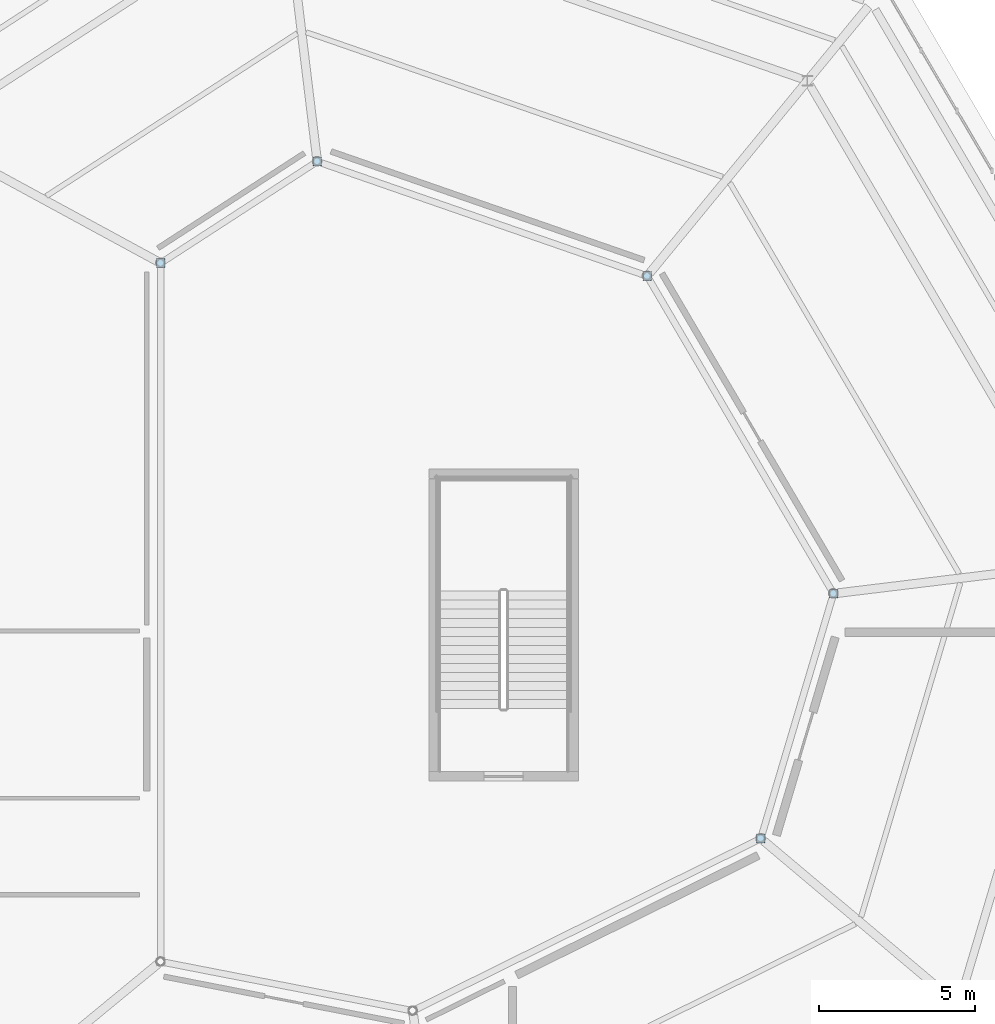
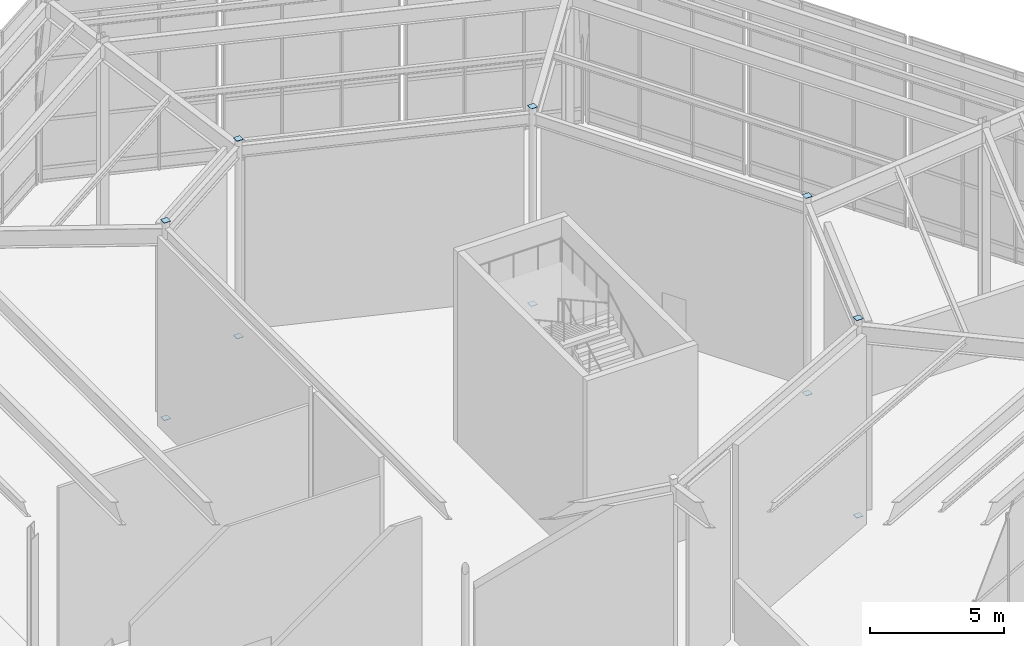
# One storey, part 34 of 48: 10 plates.
"""IFC4 building model written with IfcOpenShell, lengths in metres."""

from ifc_helpers import new_model, si_unit, direction, frame, origin, origin_2d, place, context, subcontext, project, spatial, rectangle, extrude, material, layer, layer_set, type_object, element, save


model = new_model("IFC4")

# Units and contexts
model_context = context("Model", 3, precision=1e-05, world=origin(), true_north=direction((0.0, 1.0)))
body_context = subcontext(model_context, "Body", "Model", "MODEL_VIEW")
ifc_project = project(units=[si_unit("LENGTHUNIT", "METRE"), si_unit("AREAUNIT", "SQUARE_METRE"), si_unit("VOLUMEUNIT", "CUBIC_METRE"), si_unit("PLANEANGLEUNIT", "RADIAN"), si_unit("MASSUNIT", "GRAM", prefix="KILO")], contexts=[model_context])

# Site, building, storey
site_placement = place(None, origin())
site = spatial("IfcSite", under=ifc_project, at=site_placement, CompositionType="ELEMENT")
building_placement = place(site_placement, origin())
building = spatial("IfcBuilding", under=site, at=building_placement, Name="Sarnbrook Museum", CompositionType="ELEMENT")
storey_placement = place(building_placement, frame((0.0, 0.0, 19.10009765625)))
storey = spatial("IfcBuildingStorey", under=building, at=storey_placement, Name="L04", CompositionType="ELEMENT", Elevation=19.10009765625)

# Plates
ifc_material = material(Name="Structural Steel Grade 350L0 (AS/NZS 3678, fy = 340 MPa for 20 < t <= 40 mm)", Category="steel")
ifc_layer = layer(ifc_material, 0.01611328125)
ifc_layer_set = layer_set([ifc_layer], Name="Structural Steel Grade 350L0 (AS/NZS 3678, fy = 340 MPa for 20 < t <= 40 mm)")
plate_type = type_object("IfcPlateType", Name="EndCapPlate_CAP273", PredefinedType="USERDEFINED", material=ifc_layer_set)
for number, where, z_axis, x_axis, name in (
    (1, (152.05029296875, 78.356201171875, -0.01611328125), (0.0, 0.0, 1.0), (1.0, 0.0, 0.0), "Hollow End Cap Plate COL:L04:V1R2-2-1"),
    (2, (152.05029296875, 78.356201171875, 8.999755859375), (0.0, 0.0, 1.0), (1.0, 0.0, 0.0), "Hollow End Cap Plate COL:L04:V1R2-2-2"),
    (3, (154.382080078125, 86.210205078125, -0.01611328125), (0.0, 0.0, 1.0), (1.0, 0.0, 0.0), "Hollow End Cap Plate COL:L04:V1R2-3-1"),
    (4, (154.382080078125, 86.210205078125, 8.999755859375), (0.0, 0.0, 1.0), (1.0, 0.0, 0.0), "Hollow End Cap Plate COL:L04:V1R2-3-2"),
    (5, (148.40576171875, 96.39599609375, -0.01611328125), (0.0, 0.0, 1.0), (1.0, 0.0, 0.0), "Hollow End Cap Plate COL:L04:V1R2-4-1"),
    (6, (148.40576171875, 96.39599609375, 8.999755859375), (0.0, 0.0, 1.0), (1.0, 0.0, 0.0), "Hollow End Cap Plate COL:L04:V1R2-4-2"),
    (7, (137.822509765625, 100.07080078125, -0.01611328125), (0.0, 0.0, 1.0), (1.0, 0.0, 0.0), "Hollow End Cap Plate COL:L04:V1R2-5-1"),
    (8, (137.822509765625, 100.07080078125, 8.999755859375), (0.0, 0.0, 1.0), (1.0, 0.0, 0.0), "Hollow End Cap Plate COL:L04:V1R2-5-2"),
    (9, (132.800048828125, 96.81201171875, -0.01611328125), (0.0, 0.0, 1.0), (1.0, 0.0, 0.0), "Hollow End Cap Plate COL:L04:V1R2-6-1"),
    (10, (132.800048828125, 96.81201171875, 8.999755859375), (0.0, 0.0, 1.0), (1.0, 0.0, 0.0), "Hollow End Cap Plate COL:L04:V1R2-6-2"),
):
    element("IfcPlate", number, at=place(storey_placement, frame(where, z_axis=z_axis, x_axis=x_axis)), inside=storey, type_object=plate_type, Name=name, ObjectType="END CAP PLATE", PredefinedType="USERDEFINED", context=body_context, shape_type="SweptSolid", body=[
        extrude(rectangle(XDim=0.280029296875, YDim=0.280029296875, at=origin_2d()), origin(), (0.0, 0.0, 1.0), 0.01611328125),
    ])

save(model, "model.ifc")
